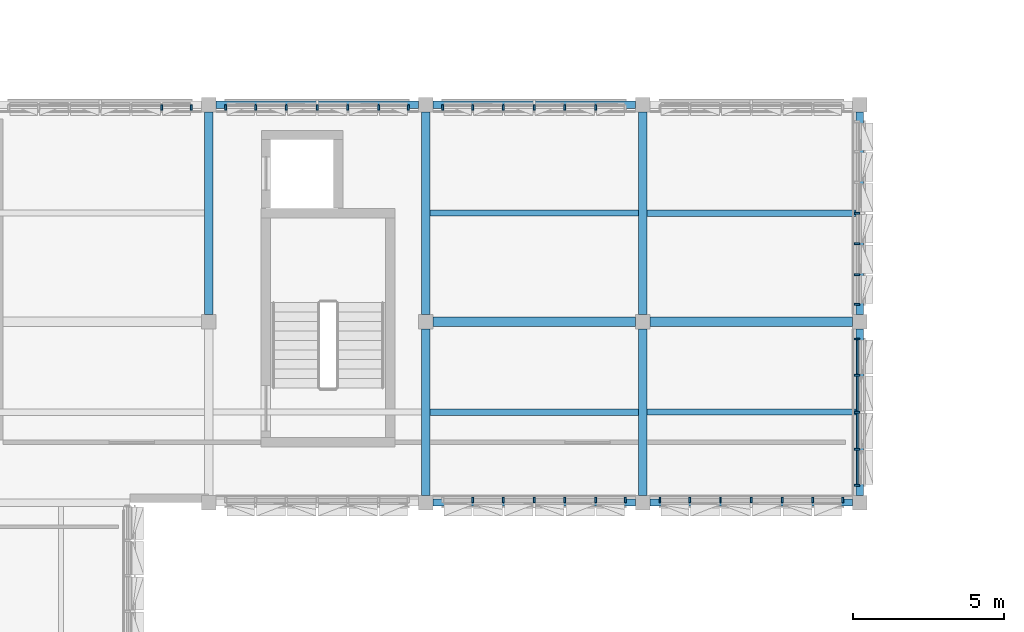
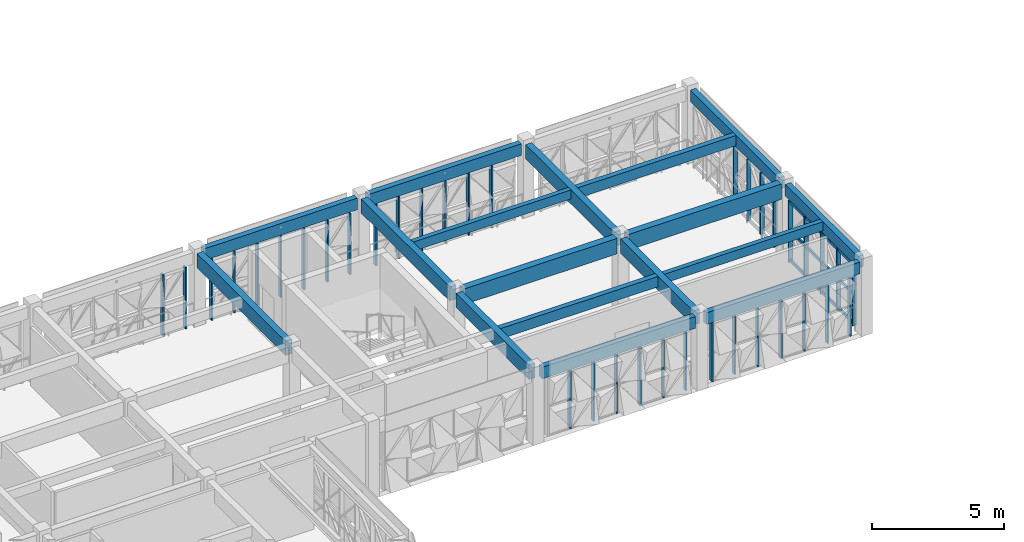
# One storey, part 10 of 48: 49 members, 17 beams, 7 elements without a shape of their own.
"""IFC4 building model written with IfcOpenShell, lengths in metres."""

from ifc_helpers import new_model, si_unit, direction, frame, origin, origin_2d, place, context, subcontext, project, spatial, rectangle, extrude, material, material_profile, profile_set, type_object, element, aggregate, save


model = new_model("IFC4")

# Units and contexts
model_context = context("Model", 3, precision=1e-05, world=origin(), true_north=direction((0.0, 1.0)))
body_context = subcontext(model_context, "Body", "Model", "MODEL_VIEW")
ifc_project = project(units=[si_unit("LENGTHUNIT", "METRE"), si_unit("AREAUNIT", "SQUARE_METRE"), si_unit("VOLUMEUNIT", "CUBIC_METRE"), si_unit("PLANEANGLEUNIT", "RADIAN"), si_unit("MASSUNIT", "GRAM", prefix="KILO")], contexts=[model_context])

# Site, building, storey
site_placement = place(None, origin())
site = spatial("IfcSite", under=ifc_project, at=site_placement, CompositionType="ELEMENT")
building_placement = place(site_placement, origin())
building = spatial("IfcBuilding", under=site, at=building_placement, Name="Alvorim Cloister Faculty of Sciences", CompositionType="ELEMENT")
storey_placement = place(building_placement, frame((0.0, 0.0, 19.35009765625)))
storey = spatial("IfcBuildingStorey", under=building, at=storey_placement, Name="L05", CompositionType="ELEMENT", Elevation=19.35009765625)

# Beams
ifc_material_1 = material(Name="Glulam GL28h", Category="wood")
ifc_material_profile_1 = material_profile(ifc_material_1, rectangle(XDim=0.280029296875, YDim=0.659912109375, at=origin_2d()), Name="GL28-BM-280x660")
ifc_profile_set_1 = profile_set([ifc_material_profile_1], Name="Glulam GL28h")
beam_type_1 = type_object("IfcBeamType", Name="BM-GL-280x660", PredefinedType="BEAM", material=ifc_profile_set_1)
beam_1_placement = place(storey_placement, frame((36.0, 49.43994140625, 3.059814453125), z_axis=(0.0, 1.0, 0.0), x_axis=(-1.0, 0.0, 0.0)))
element("IfcBeam", 1, at=beam_1_placement, inside=storey, type_object=beam_type_1, Name="L05 Primary Girder BM-2009", PredefinedType="BEAM", context=body_context, shape_type="SweptSolid", body=[
    extrude(rectangle(XDim=0.280029296875, YDim=0.659912109375, at=origin_2d()), origin(), (0.0, 0.0, 1.0), 6.719970703125),
])
beam_2_placement = place(storey_placement, frame((43.199951171875, 43.43994140625, 3.059814453125), z_axis=(0.0, 1.0, 0.0), x_axis=(-1.0, 0.0, 0.0)))
element("IfcBeam", 2, at=beam_2_placement, inside=storey, type_object=beam_type_1, Name="L05 Primary Girder BM-2010", PredefinedType="BEAM", context=body_context, shape_type="SweptSolid", body=[
    extrude(rectangle(XDim=0.280029296875, YDim=0.659912109375, at=origin_2d()), origin(), (0.0, 0.0, 1.0), 5.52001953125),
])
beam_3_placement = place(storey_placement, frame((43.199951171875, 49.43994140625, 3.059814453125), z_axis=(0.0, 1.0, 0.0), x_axis=(-1.0, 0.0, 0.0)))
element("IfcBeam", 3, at=beam_3_placement, inside=storey, type_object=beam_type_1, Name="L05 Primary Girder BM-2011", PredefinedType="BEAM", context=body_context, shape_type="SweptSolid", body=[
    extrude(rectangle(XDim=0.280029296875, YDim=0.659912109375, at=origin_2d()), origin(), (0.0, 0.0, 1.0), 6.719970703125),
])
beam_4_placement = place(storey_placement, frame((50.39990234375, 43.43994140625, 3.059814453125), z_axis=(0.0, 1.0, 0.0), x_axis=(-1.0, 0.0, 0.0)))
element("IfcBeam", 4, at=beam_4_placement, inside=storey, type_object=beam_type_1, Name="L05 Primary Girder BM-2012", PredefinedType="BEAM", context=body_context, shape_type="SweptSolid", body=[
    extrude(rectangle(XDim=0.280029296875, YDim=0.659912109375, at=origin_2d()), origin(), (0.0, 0.0, 1.0), 5.52001953125),
])
beam_5_placement = place(storey_placement, frame((50.39990234375, 49.43994140625, 3.059814453125), z_axis=(0.0, 1.0, 0.0), x_axis=(-1.0, 0.0, 0.0)))
element("IfcBeam", 5, at=beam_5_placement, inside=storey, type_object=beam_type_1, Name="L05 Primary Girder BM-2013", PredefinedType="BEAM", context=body_context, shape_type="SweptSolid", body=[
    extrude(rectangle(XDim=0.280029296875, YDim=0.659912109375, at=origin_2d()), origin(), (0.0, 0.0, 1.0), 6.719970703125),
])
ifc_material_2 = material(Name="Glulam GL32h", Category="wood")
ifc_material_profile_2 = material_profile(ifc_material_2, rectangle(XDim=0.300048828125, YDim=0.719970703125, at=origin_2d()), Name="GL32-BM-300x720")
ifc_profile_set_2 = profile_set([ifc_material_profile_2], Name="Glulam GL32h")
beam_type_2 = type_object("IfcBeamType", Name="BM-GL-300x720", PredefinedType="BEAM", material=ifc_profile_set_2)
beam_6_placement = place(storey_placement, frame((43.43994140625, 49.199951171875, 3.02978515625), z_axis=(1.0, 0.0, 0.0), x_axis=(0.0, 1.0, 0.0)))
element("IfcBeam", 6, at=beam_6_placement, inside=storey, type_object=beam_type_2, Name="L05 Primary Beam BM-1973", PredefinedType="BEAM", context=body_context, shape_type="SweptSolid", body=[
    extrude(rectangle(XDim=0.300048828125, YDim=0.719970703125, at=origin_2d()), origin(), (0.0, 0.0, 1.0), 6.719970703125),
])
beam_7_placement = place(storey_placement, frame((50.639892578125, 49.199951171875, 3.02978515625), z_axis=(1.0, 0.0, 0.0), x_axis=(0.0, 1.0, 0.0)))
element("IfcBeam", 7, at=beam_7_placement, inside=storey, type_object=beam_type_2, Name="L05 Primary Beam BM-1974", PredefinedType="BEAM", context=body_context, shape_type="SweptSolid", body=[
    extrude(rectangle(XDim=0.300048828125, YDim=0.719970703125, at=origin_2d()), origin(), (0.0, 0.0, 1.0), 6.72021484375),
])
ifc_material_profile_3 = material_profile(ifc_material_1, rectangle(XDim=0.199951171875, YDim=0.419921875, at=origin_2d()), Name="GL28-JST-200x420")
ifc_profile_set_3 = profile_set([ifc_material_profile_3], Name="Glulam GL28h")
beam_type_3 = type_object("IfcBeamType", Name="BM-JST-GL-200x420", PredefinedType="JOIST", material=ifc_profile_set_3)
beam_8_placement = place(storey_placement, frame((43.340087890625, 52.800048828125, 3.179931640625), z_axis=(1.0, 0.0, 0.0), x_axis=(0.0, 1.0, 0.0)))
element("IfcBeam", 8, at=beam_8_placement, inside=storey, type_object=beam_type_3, Name="L05 Secondary Floor Joist BM-2035", PredefinedType="JOIST", context=body_context, shape_type="SweptSolid", body=[
    extrude(rectangle(XDim=0.199951171875, YDim=0.419921875, at=origin_2d()), origin(), (0.0, 0.0, 1.0), 6.919921875),
])
beam_9_placement = place(storey_placement, frame((50.5400390625, 46.199951171875, 3.179931640625), z_axis=(1.0, 0.0, 0.0), x_axis=(0.0, 1.0, 0.0)))
element("IfcBeam", 9, at=beam_9_placement, inside=storey, type_object=beam_type_3, Name="L05 Secondary Floor Joist BM-2036", PredefinedType="JOIST", context=body_context, shape_type="SweptSolid", body=[
    extrude(rectangle(XDim=0.199951171875, YDim=0.419921875, at=origin_2d()), origin(), (0.0, 0.0, 1.0), 6.93994140625),
])
ifc_material_profile_4 = material_profile(ifc_material_1, rectangle(XDim=0.219970703125, YDim=0.47998046875, at=origin_2d()), Name="GL28-JST-220x480")
ifc_profile_set_4 = profile_set([ifc_material_profile_4], Name="Glulam GL28h")
beam_type_4 = type_object("IfcBeamType", Name="BM-JST-GL-220x480", PredefinedType="JOIST", material=ifc_profile_set_4)
beam_10_placement = place(storey_placement, frame((43.340087890625, 46.199951171875, 3.14990234375), z_axis=(1.0, 0.0, 0.0), x_axis=(0.0, 1.0, 0.0)))
element("IfcBeam", 10, at=beam_10_placement, inside=storey, type_object=beam_type_4, Name="L05 Secondary Floor Joist BM-2034", PredefinedType="JOIST", context=body_context, shape_type="SweptSolid", body=[
    extrude(rectangle(XDim=0.219970703125, YDim=0.47998046875, at=origin_2d()), origin(), (0.0, 0.0, 1.0), 6.919921875),
])
beam_11_placement = place(storey_placement, frame((50.5400390625, 52.800048828125, 3.14990234375), z_axis=(1.0, 0.0, 0.0), x_axis=(0.0, 1.0, 0.0)))
element("IfcBeam", 11, at=beam_11_placement, inside=storey, type_object=beam_type_4, Name="L05 Secondary Floor Joist BM-2037", PredefinedType="JOIST", context=body_context, shape_type="SweptSolid", body=[
    extrude(rectangle(XDim=0.219970703125, YDim=0.47998046875, at=origin_2d()), origin(), (0.0, 0.0, 1.0), 6.93994140625),
])
ifc_material_profile_5 = material_profile(ifc_material_1, rectangle(XDim=0.239990234375, YDim=0.5400390625, at=origin_2d()), Name="GL28-SPD-240x540")
ifc_profile_set_5 = profile_set([ifc_material_profile_5], Name="Glulam GL28h")
beam_type_5 = type_object("IfcBeamType", Name="BM-SPD-GL-240x540", PredefinedType="SPANDREL", material=ifc_profile_set_5)
beam_12_placement = place(storey_placement, frame((43.43994140625, 43.199951171875, 3.119873046875), z_axis=(1.0, 0.0, 0.0), x_axis=(0.0, 1.0, 0.0)))
element("IfcBeam", 12, at=beam_12_placement, inside=storey, type_object=beam_type_5, Name="L05 Primary Beam BM-1969", PredefinedType="SPANDREL", context=body_context, shape_type="SweptSolid", body=[
    extrude(rectangle(XDim=0.239990234375, YDim=0.5400390625, at=origin_2d()), origin(), (0.0, 0.0, 1.0), 6.719970703125),
])
beam_13_placement = place(storey_placement, frame((50.639892578125, 43.199951171875, 3.119873046875), z_axis=(1.0, 0.0, 0.0), x_axis=(0.0, 1.0, 0.0)))
element("IfcBeam", 13, at=beam_13_placement, inside=storey, type_object=beam_type_5, Name="L05 Primary Beam BM-1970", PredefinedType="SPANDREL", context=body_context, shape_type="SweptSolid", body=[
    extrude(rectangle(XDim=0.239990234375, YDim=0.5400390625, at=origin_2d()), origin(), (0.0, 0.0, 1.0), 6.72021484375),
])
for number, where, z_axis, x_axis, name in (
    (14, (36.239990234375, 56.39990234375, 3.119873046875), (1.0, 0.0, 0.0), (0.0, 1.0, 0.0), "L05 Primary Beam BM-1977"),
    (15, (43.43994140625, 56.39990234375, 3.119873046875), (1.0, 0.0, 0.0), (0.0, 1.0, 0.0), "L05 Primary Beam BM-1978"),
):
    element("IfcBeam", number, at=place(storey_placement, frame(where, z_axis=z_axis, x_axis=x_axis)), inside=storey, type_object=beam_type_5, Name=name, PredefinedType="SPANDREL", context=body_context, shape_type="SweptSolid", body=[
        extrude(rectangle(XDim=0.239990234375, YDim=0.5400390625, at=origin_2d()), origin(), (0.0, 0.0, 1.0), 6.719970703125),
    ])
beam_14_placement = place(storey_placement, frame((57.60009765625, 43.43994140625, 3.119873046875), z_axis=(0.0, 1.0, 0.0), x_axis=(-1.0, 0.0, 0.0)))
element("IfcBeam", 16, at=beam_14_placement, inside=storey, type_object=beam_type_5, Name="L05 Primary Girder BM-2014", PredefinedType="SPANDREL", context=body_context, shape_type="SweptSolid", body=[
    extrude(rectangle(XDim=0.239990234375, YDim=0.5400390625, at=origin_2d()), origin(), (0.0, 0.0, 1.0), 5.52001953125),
])
beam_15_placement = place(storey_placement, frame((57.60009765625, 49.43994140625, 3.119873046875), z_axis=(0.0, 1.0, 0.0), x_axis=(-1.0, 0.0, 0.0)))
element("IfcBeam", 17, at=beam_15_placement, inside=storey, type_object=beam_type_5, Name="L05 Primary Girder BM-2015", PredefinedType="SPANDREL", context=body_context, shape_type="SweptSolid", body=[
    extrude(rectangle(XDim=0.239990234375, YDim=0.5400390625, at=origin_2d()), origin(), (0.0, 0.0, 1.0), 6.719970703125),
])

# Curtain wall, members
ifc_material_3 = material(Name="Aluminium and Low-E Glass Curtain Wall", Category="aluminium")
curtain_wall_type_1 = type_object("IfcCurtainWallType", Name="CW-TRI-6120x2850", PredefinedType="USERDEFINED", material=ifc_material_3)
curtain_wall_1_placement = place(storey_placement, origin())
curtain_wall_1 = element("IfcCurtainWall", 18, at=curtain_wall_1_placement, inside=storey, type_object=curtain_wall_type_1, Name="L05 Diagonal Cassette Curtain Wall CW-0223", ObjectType="UNITISED CURTAIN WALL", PredefinedType="USERDEFINED")
ifc_material_4 = material(Name="Aluminium Alloy 6063-T6", Category="aluminium")
ifc_material_profile_6 = material_profile(ifc_material_4, rectangle(XDim=0.06494140625, YDim=0.179931640625, at=origin_2d()), Name="ALU-MUL-65x180")
ifc_profile_set_6 = profile_set([ifc_material_profile_6], Name="Aluminium Alloy 6063-T6")
member_type_1 = type_object("IfcMemberType", Name="CW-MUL-65x180", PredefinedType="MULLION", material=ifc_profile_set_6)
member_1_placement = place(storey_placement, frame((34.43994140625, 56.31005859375, 0.0), z_axis=(0.0, 0.0, 1.0), x_axis=(1.0, 0.0, 0.0)))
member_1 = element("IfcMember", 19, at=member_1_placement, type_object=member_type_1, Name="CW-0223 Mullion 6", PredefinedType="MULLION", context=body_context, shape_type="SweptSolid", body=[
    extrude(rectangle(XDim=0.06494140625, YDim=0.179931640625, at=origin_2d()), origin(), (0.0, 0.0, 1.0), 2.849853515625),
])
member_2_placement = place(storey_placement, frame((35.427490234375, 56.31005859375, 0.0), z_axis=(0.0, 0.0, 1.0), x_axis=(1.0, 0.0, 0.0)))
member_2 = element("IfcMember", 20, at=member_2_placement, type_object=member_type_1, Name="CW-0223 Mullion 7", PredefinedType="MULLION", context=body_context, shape_type="SweptSolid", body=[
    extrude(rectangle(XDim=0.06494140625, YDim=0.179931640625, at=origin_2d()), origin(), (0.0, 0.0, 1.0), 2.849853515625),
])
aggregate(curtain_wall_1, [member_1, member_2])

curtain_wall_2_placement = place(storey_placement, origin())
curtain_wall_2 = element("IfcCurtainWall", 21, at=curtain_wall_2_placement, inside=storey, type_object=curtain_wall_type_1, Name="L05 Diagonal Cassette Curtain Wall CW-0224", ObjectType="UNITISED CURTAIN WALL", PredefinedType="USERDEFINED")
member_3_placement = place(storey_placement, frame((36.572509765625, 56.31005859375, 0.0), z_axis=(0.0, 0.0, 1.0), x_axis=(1.0, 0.0, 0.0)))
member_3 = element("IfcMember", 22, at=member_3_placement, type_object=member_type_1, Name="CW-0224 Mullion 1", PredefinedType="MULLION", context=body_context, shape_type="SweptSolid", body=[
    extrude(rectangle(XDim=0.06494140625, YDim=0.179931640625, at=origin_2d()), origin(), (0.0, 0.0, 1.0), 2.849853515625),
])
member_4_placement = place(storey_placement, frame((37.56005859375, 56.31005859375, 0.0), z_axis=(0.0, 0.0, 1.0), x_axis=(1.0, 0.0, 0.0)))
member_4 = element("IfcMember", 23, at=member_4_placement, type_object=member_type_1, Name="CW-0224 Mullion 2", PredefinedType="MULLION", context=body_context, shape_type="SweptSolid", body=[
    extrude(rectangle(XDim=0.06494140625, YDim=0.179931640625, at=origin_2d()), origin(), (0.0, 0.0, 1.0), 2.849853515625),
])
member_5_placement = place(storey_placement, frame((38.580078125, 56.31005859375, 0.0), z_axis=(0.0, 0.0, 1.0), x_axis=(1.0, 0.0, 0.0)))
member_5 = element("IfcMember", 24, at=member_5_placement, type_object=member_type_1, Name="CW-0224 Mullion 3", PredefinedType="MULLION", context=body_context, shape_type="SweptSolid", body=[
    extrude(rectangle(XDim=0.06494140625, YDim=0.179931640625, at=origin_2d()), origin(), (0.0, 0.0, 1.0), 2.849853515625),
])
member_6_placement = place(storey_placement, frame((39.60009765625, 56.31005859375, 0.0), z_axis=(0.0, 0.0, 1.0), x_axis=(1.0, 0.0, 0.0)))
member_6 = element("IfcMember", 25, at=member_6_placement, type_object=member_type_1, Name="CW-0224 Mullion 4", PredefinedType="MULLION", context=body_context, shape_type="SweptSolid", body=[
    extrude(rectangle(XDim=0.06494140625, YDim=0.179931640625, at=origin_2d()), origin(), (0.0, 0.0, 1.0), 2.849853515625),
])
member_7_placement = place(storey_placement, frame((40.6201171875, 56.31005859375, 0.0), z_axis=(0.0, 0.0, 1.0), x_axis=(1.0, 0.0, 0.0)))
member_7 = element("IfcMember", 26, at=member_7_placement, type_object=member_type_1, Name="CW-0224 Mullion 5", PredefinedType="MULLION", context=body_context, shape_type="SweptSolid", body=[
    extrude(rectangle(XDim=0.06494140625, YDim=0.179931640625, at=origin_2d()), origin(), (0.0, 0.0, 1.0), 2.849853515625),
])
member_8_placement = place(storey_placement, frame((41.639892578125, 56.31005859375, 0.0), z_axis=(0.0, 0.0, 1.0), x_axis=(1.0, 0.0, 0.0)))
member_8 = element("IfcMember", 27, at=member_8_placement, type_object=member_type_1, Name="CW-0224 Mullion 6", PredefinedType="MULLION", context=body_context, shape_type="SweptSolid", body=[
    extrude(rectangle(XDim=0.06494140625, YDim=0.179931640625, at=origin_2d()), origin(), (0.0, 0.0, 1.0), 2.849853515625),
])
member_9_placement = place(storey_placement, frame((42.62744140625, 56.31005859375, 0.0), z_axis=(0.0, 0.0, 1.0), x_axis=(1.0, 0.0, 0.0)))
member_9 = element("IfcMember", 28, at=member_9_placement, type_object=member_type_1, Name="CW-0224 Mullion 7", PredefinedType="MULLION", context=body_context, shape_type="SweptSolid", body=[
    extrude(rectangle(XDim=0.06494140625, YDim=0.179931640625, at=origin_2d()), origin(), (0.0, 0.0, 1.0), 2.849853515625),
])
aggregate(curtain_wall_2, [member_3, member_4, member_5, member_6, member_7, member_8, member_9])

curtain_wall_3_placement = place(storey_placement, origin())
curtain_wall_3 = element("IfcCurtainWall", 29, at=curtain_wall_3_placement, inside=storey, type_object=curtain_wall_type_1, Name="L05 Diagonal Cassette Curtain Wall CW-0225", ObjectType="UNITISED CURTAIN WALL", PredefinedType="USERDEFINED")
member_10_placement = place(storey_placement, frame((43.7724609375, 56.31005859375, 0.0), z_axis=(0.0, 0.0, 1.0), x_axis=(1.0, 0.0, 0.0)))
member_10 = element("IfcMember", 30, at=member_10_placement, type_object=member_type_1, Name="CW-0225 Mullion 1", PredefinedType="MULLION", context=body_context, shape_type="SweptSolid", body=[
    extrude(rectangle(XDim=0.06494140625, YDim=0.179931640625, at=origin_2d()), origin(), (0.0, 0.0, 1.0), 2.849853515625),
])
member_11_placement = place(storey_placement, frame((44.760009765625, 56.31005859375, 0.0), z_axis=(0.0, 0.0, 1.0), x_axis=(1.0, 0.0, 0.0)))
member_11 = element("IfcMember", 31, at=member_11_placement, type_object=member_type_1, Name="CW-0225 Mullion 2", PredefinedType="MULLION", context=body_context, shape_type="SweptSolid", body=[
    extrude(rectangle(XDim=0.06494140625, YDim=0.179931640625, at=origin_2d()), origin(), (0.0, 0.0, 1.0), 2.849853515625),
])
member_12_placement = place(storey_placement, frame((45.780029296875, 56.31005859375, 0.0), z_axis=(0.0, 0.0, 1.0), x_axis=(1.0, 0.0, 0.0)))
member_12 = element("IfcMember", 32, at=member_12_placement, type_object=member_type_1, Name="CW-0225 Mullion 3", PredefinedType="MULLION", context=body_context, shape_type="SweptSolid", body=[
    extrude(rectangle(XDim=0.06494140625, YDim=0.179931640625, at=origin_2d()), origin(), (0.0, 0.0, 1.0), 2.849853515625),
])
member_13_placement = place(storey_placement, frame((46.800048828125, 56.31005859375, 0.0), z_axis=(0.0, 0.0, 1.0), x_axis=(1.0, 0.0, 0.0)))
member_13 = element("IfcMember", 33, at=member_13_placement, type_object=member_type_1, Name="CW-0225 Mullion 4", PredefinedType="MULLION", context=body_context, shape_type="SweptSolid", body=[
    extrude(rectangle(XDim=0.06494140625, YDim=0.179931640625, at=origin_2d()), origin(), (0.0, 0.0, 1.0), 2.849853515625),
])
member_14_placement = place(storey_placement, frame((47.820068359375, 56.31005859375, 0.0), z_axis=(0.0, 0.0, 1.0), x_axis=(1.0, 0.0, 0.0)))
member_14 = element("IfcMember", 34, at=member_14_placement, type_object=member_type_1, Name="CW-0225 Mullion 5", PredefinedType="MULLION", context=body_context, shape_type="SweptSolid", body=[
    extrude(rectangle(XDim=0.06494140625, YDim=0.179931640625, at=origin_2d()), origin(), (0.0, 0.0, 1.0), 2.849853515625),
])
member_15_placement = place(storey_placement, frame((48.840087890625, 56.31005859375, 0.0), z_axis=(0.0, 0.0, 1.0), x_axis=(1.0, 0.0, 0.0)))
member_15 = element("IfcMember", 35, at=member_15_placement, type_object=member_type_1, Name="CW-0225 Mullion 6", PredefinedType="MULLION", context=body_context, shape_type="SweptSolid", body=[
    extrude(rectangle(XDim=0.06494140625, YDim=0.179931640625, at=origin_2d()), origin(), (0.0, 0.0, 1.0), 2.849853515625),
])
aggregate(curtain_wall_3, [member_10, member_11, member_12, member_13, member_14, member_15])

curtain_wall_4_placement = place(storey_placement, origin())
curtain_wall_4 = element("IfcCurtainWall", 36, at=curtain_wall_4_placement, inside=storey, type_object=curtain_wall_type_1, Name="L05 Diagonal Cassette Curtain Wall CW-0227", ObjectType="UNITISED CURTAIN WALL", PredefinedType="USERDEFINED")
member_16_placement = place(storey_placement, frame((57.510009765625, 49.7724609375, 0.0), z_axis=(0.0, 0.0, 1.0), x_axis=(0.0, 1.0, 0.0)))
member_16 = element("IfcMember", 37, at=member_16_placement, type_object=member_type_1, Name="CW-0227 Mullion 1", PredefinedType="MULLION", context=body_context, shape_type="SweptSolid", body=[
    extrude(rectangle(XDim=0.06494140625, YDim=0.179931640625, at=origin_2d()), origin(), (0.0, 0.0, 1.0), 2.849853515625),
])
member_17_placement = place(storey_placement, frame((57.510009765625, 50.760009765625, 0.0), z_axis=(0.0, 0.0, 1.0), x_axis=(0.0, 1.0, 0.0)))
member_17 = element("IfcMember", 38, at=member_17_placement, type_object=member_type_1, Name="CW-0227 Mullion 2", PredefinedType="MULLION", context=body_context, shape_type="SweptSolid", body=[
    extrude(rectangle(XDim=0.06494140625, YDim=0.179931640625, at=origin_2d()), origin(), (0.0, 0.0, 1.0), 2.849853515625),
])
member_18_placement = place(storey_placement, frame((57.510009765625, 51.780029296875, 0.0), z_axis=(0.0, 0.0, 1.0), x_axis=(0.0, 1.0, 0.0)))
member_18 = element("IfcMember", 39, at=member_18_placement, type_object=member_type_1, Name="CW-0227 Mullion 3", PredefinedType="MULLION", context=body_context, shape_type="SweptSolid", body=[
    extrude(rectangle(XDim=0.06494140625, YDim=0.179931640625, at=origin_2d()), origin(), (0.0, 0.0, 1.0), 2.849853515625),
])
member_19_placement = place(storey_placement, frame((57.510009765625, 52.800048828125, 0.0), z_axis=(0.0, 0.0, 1.0), x_axis=(0.0, 1.0, 0.0)))
member_19 = element("IfcMember", 40, at=member_19_placement, type_object=member_type_1, Name="CW-0227 Mullion 4", PredefinedType="MULLION", context=body_context, shape_type="SweptSolid", body=[
    extrude(rectangle(XDim=0.06494140625, YDim=0.179931640625, at=origin_2d()), origin(), (0.0, 0.0, 1.0), 2.849853515625),
])
aggregate(curtain_wall_4, [member_16, member_17, member_18, member_19])

curtain_wall_type_2 = type_object("IfcCurtainWallType", Name="CW-TRI-4920x2850", PredefinedType="USERDEFINED", material=ifc_material_3)
curtain_wall_5_placement = place(storey_placement, origin())
curtain_wall_5 = element("IfcCurtainWall", 41, at=curtain_wall_5_placement, inside=storey, type_object=curtain_wall_type_2, Name="L05 Diagonal Cassette Curtain Wall CW-0228", ObjectType="UNITISED CURTAIN WALL", PredefinedType="USERDEFINED")
member_20_placement = place(storey_placement, frame((57.510009765625, 43.7724609375, 0.0), z_axis=(0.0, 0.0, 1.0), x_axis=(0.0, 1.0, 0.0)))
member_20 = element("IfcMember", 42, at=member_20_placement, type_object=member_type_1, Name="CW-0228 Mullion 1", PredefinedType="MULLION", context=body_context, shape_type="SweptSolid", body=[
    extrude(rectangle(XDim=0.06494140625, YDim=0.179931640625, at=origin_2d()), origin(), (0.0, 0.0, 1.0), 2.849853515625),
])
member_21_placement = place(storey_placement, frame((57.510009765625, 44.969970703125, 0.0), z_axis=(0.0, 0.0, 1.0), x_axis=(0.0, 1.0, 0.0)))
member_21 = element("IfcMember", 43, at=member_21_placement, type_object=member_type_1, Name="CW-0228 Mullion 2", PredefinedType="MULLION", context=body_context, shape_type="SweptSolid", body=[
    extrude(rectangle(XDim=0.06494140625, YDim=0.179931640625, at=origin_2d()), origin(), (0.0, 0.0, 1.0), 2.849853515625),
])
member_22_placement = place(storey_placement, frame((57.510009765625, 46.199951171875, 0.0), z_axis=(0.0, 0.0, 1.0), x_axis=(0.0, 1.0, 0.0)))
member_22 = element("IfcMember", 44, at=member_22_placement, type_object=member_type_1, Name="CW-0228 Mullion 3", PredefinedType="MULLION", context=body_context, shape_type="SweptSolid", body=[
    extrude(rectangle(XDim=0.06494140625, YDim=0.179931640625, at=origin_2d()), origin(), (0.0, 0.0, 1.0), 2.849853515625),
])
member_23_placement = place(storey_placement, frame((57.510009765625, 47.429931640625, 0.0), z_axis=(0.0, 0.0, 1.0), x_axis=(0.0, 1.0, 0.0)))
member_23 = element("IfcMember", 45, at=member_23_placement, type_object=member_type_1, Name="CW-0228 Mullion 4", PredefinedType="MULLION", context=body_context, shape_type="SweptSolid", body=[
    extrude(rectangle(XDim=0.06494140625, YDim=0.179931640625, at=origin_2d()), origin(), (0.0, 0.0, 1.0), 2.849853515625),
])
member_24_placement = place(storey_placement, frame((57.510009765625, 48.62744140625, 0.0), z_axis=(0.0, 0.0, 1.0), x_axis=(0.0, 1.0, 0.0)))
member_24 = element("IfcMember", 46, at=member_24_placement, type_object=member_type_1, Name="CW-0228 Mullion 5", PredefinedType="MULLION", context=body_context, shape_type="SweptSolid", body=[
    extrude(rectangle(XDim=0.06494140625, YDim=0.179931640625, at=origin_2d()), origin(), (0.0, 0.0, 1.0), 2.849853515625),
])

curtain_wall_6_placement = place(storey_placement, origin())
curtain_wall_6 = element("IfcCurtainWall", 47, at=curtain_wall_6_placement, inside=storey, type_object=curtain_wall_type_1, Name="L05 Diagonal Cassette Curtain Wall CW-0229", ObjectType="UNITISED CURTAIN WALL", PredefinedType="USERDEFINED")
member_25_placement = place(storey_placement, frame((50.972412109375, 43.2900390625, 0.0), z_axis=(0.0, 0.0, 1.0), x_axis=(1.0, 0.0, 0.0)))
member_25 = element("IfcMember", 48, at=member_25_placement, type_object=member_type_1, Name="CW-0229 Mullion 1", PredefinedType="MULLION", context=body_context, shape_type="SweptSolid", body=[
    extrude(rectangle(XDim=0.06494140625, YDim=0.179931640625, at=origin_2d()), origin(), (0.0, 0.0, 1.0), 2.849853515625),
])
member_26_placement = place(storey_placement, frame((51.9599609375, 43.2900390625, 0.0), z_axis=(0.0, 0.0, 1.0), x_axis=(1.0, 0.0, 0.0)))
member_26 = element("IfcMember", 49, at=member_26_placement, type_object=member_type_1, Name="CW-0229 Mullion 2", PredefinedType="MULLION", context=body_context, shape_type="SweptSolid", body=[
    extrude(rectangle(XDim=0.06494140625, YDim=0.179931640625, at=origin_2d()), origin(), (0.0, 0.0, 1.0), 2.849853515625),
])
member_27_placement = place(storey_placement, frame((52.97998046875, 43.2900390625, 0.0), z_axis=(0.0, 0.0, 1.0), x_axis=(1.0, 0.0, 0.0)))
member_27 = element("IfcMember", 50, at=member_27_placement, type_object=member_type_1, Name="CW-0229 Mullion 3", PredefinedType="MULLION", context=body_context, shape_type="SweptSolid", body=[
    extrude(rectangle(XDim=0.06494140625, YDim=0.179931640625, at=origin_2d()), origin(), (0.0, 0.0, 1.0), 2.849853515625),
])
member_28_placement = place(storey_placement, frame((54.0, 43.2900390625, 0.0), z_axis=(0.0, 0.0, 1.0), x_axis=(1.0, 0.0, 0.0)))
member_28 = element("IfcMember", 51, at=member_28_placement, type_object=member_type_1, Name="CW-0229 Mullion 4", PredefinedType="MULLION", context=body_context, shape_type="SweptSolid", body=[
    extrude(rectangle(XDim=0.06494140625, YDim=0.179931640625, at=origin_2d()), origin(), (0.0, 0.0, 1.0), 2.849853515625),
])
member_29_placement = place(storey_placement, frame((55.02001953125, 43.2900390625, 0.0), z_axis=(0.0, 0.0, 1.0), x_axis=(1.0, 0.0, 0.0)))
member_29 = element("IfcMember", 52, at=member_29_placement, type_object=member_type_1, Name="CW-0229 Mullion 5", PredefinedType="MULLION", context=body_context, shape_type="SweptSolid", body=[
    extrude(rectangle(XDim=0.06494140625, YDim=0.179931640625, at=origin_2d()), origin(), (0.0, 0.0, 1.0), 2.849853515625),
])
member_30_placement = place(storey_placement, frame((56.0400390625, 43.2900390625, 0.0), z_axis=(0.0, 0.0, 1.0), x_axis=(1.0, 0.0, 0.0)))
member_30 = element("IfcMember", 53, at=member_30_placement, type_object=member_type_1, Name="CW-0229 Mullion 6", PredefinedType="MULLION", context=body_context, shape_type="SweptSolid", body=[
    extrude(rectangle(XDim=0.06494140625, YDim=0.179931640625, at=origin_2d()), origin(), (0.0, 0.0, 1.0), 2.849853515625),
])
member_31_placement = place(storey_placement, frame((57.027587890625, 43.2900390625, 0.0), z_axis=(0.0, 0.0, 1.0), x_axis=(1.0, 0.0, 0.0)))
member_31 = element("IfcMember", 54, at=member_31_placement, type_object=member_type_1, Name="CW-0229 Mullion 7", PredefinedType="MULLION", context=body_context, shape_type="SweptSolid", body=[
    extrude(rectangle(XDim=0.06494140625, YDim=0.179931640625, at=origin_2d()), origin(), (0.0, 0.0, 1.0), 2.849853515625),
])
aggregate(curtain_wall_6, [member_25, member_26, member_27, member_28, member_29, member_30, member_31])

curtain_wall_7_placement = place(storey_placement, origin())
curtain_wall_7 = element("IfcCurtainWall", 55, at=curtain_wall_7_placement, inside=storey, type_object=curtain_wall_type_1, Name="L05 Diagonal Cassette Curtain Wall CW-0230", ObjectType="UNITISED CURTAIN WALL", PredefinedType="USERDEFINED")
member_32_placement = place(storey_placement, frame((44.760009765625, 43.2900390625, 0.0), z_axis=(0.0, 0.0, 1.0), x_axis=(1.0, 0.0, 0.0)))
member_32 = element("IfcMember", 56, at=member_32_placement, type_object=member_type_1, Name="CW-0230 Mullion 2", PredefinedType="MULLION", context=body_context, shape_type="SweptSolid", body=[
    extrude(rectangle(XDim=0.06494140625, YDim=0.179931640625, at=origin_2d()), origin(), (0.0, 0.0, 1.0), 2.849853515625),
])
member_33_placement = place(storey_placement, frame((45.780029296875, 43.2900390625, 0.0), z_axis=(0.0, 0.0, 1.0), x_axis=(1.0, 0.0, 0.0)))
member_33 = element("IfcMember", 57, at=member_33_placement, type_object=member_type_1, Name="CW-0230 Mullion 3", PredefinedType="MULLION", context=body_context, shape_type="SweptSolid", body=[
    extrude(rectangle(XDim=0.06494140625, YDim=0.179931640625, at=origin_2d()), origin(), (0.0, 0.0, 1.0), 2.849853515625),
])
member_34_placement = place(storey_placement, frame((46.800048828125, 43.2900390625, 0.0), z_axis=(0.0, 0.0, 1.0), x_axis=(1.0, 0.0, 0.0)))
member_34 = element("IfcMember", 58, at=member_34_placement, type_object=member_type_1, Name="CW-0230 Mullion 4", PredefinedType="MULLION", context=body_context, shape_type="SweptSolid", body=[
    extrude(rectangle(XDim=0.06494140625, YDim=0.179931640625, at=origin_2d()), origin(), (0.0, 0.0, 1.0), 2.849853515625),
])
member_35_placement = place(storey_placement, frame((47.820068359375, 43.2900390625, 0.0), z_axis=(0.0, 0.0, 1.0), x_axis=(1.0, 0.0, 0.0)))
member_35 = element("IfcMember", 59, at=member_35_placement, type_object=member_type_1, Name="CW-0230 Mullion 5", PredefinedType="MULLION", context=body_context, shape_type="SweptSolid", body=[
    extrude(rectangle(XDim=0.06494140625, YDim=0.179931640625, at=origin_2d()), origin(), (0.0, 0.0, 1.0), 2.849853515625),
])
member_36_placement = place(storey_placement, frame((48.840087890625, 43.2900390625, 0.0), z_axis=(0.0, 0.0, 1.0), x_axis=(1.0, 0.0, 0.0)))
member_36 = element("IfcMember", 60, at=member_36_placement, type_object=member_type_1, Name="CW-0230 Mullion 6", PredefinedType="MULLION", context=body_context, shape_type="SweptSolid", body=[
    extrude(rectangle(XDim=0.06494140625, YDim=0.179931640625, at=origin_2d()), origin(), (0.0, 0.0, 1.0), 2.849853515625),
])
member_37_placement = place(storey_placement, frame((49.827392578125, 43.2900390625, 0.0), z_axis=(0.0, 0.0, 1.0), x_axis=(1.0, 0.0, 0.0)))
member_37 = element("IfcMember", 61, at=member_37_placement, type_object=member_type_1, Name="CW-0230 Mullion 7", PredefinedType="MULLION", context=body_context, shape_type="SweptSolid", body=[
    extrude(rectangle(XDim=0.06494140625, YDim=0.179931640625, at=origin_2d()), origin(), (0.0, 0.0, 1.0), 2.849853515625),
])
aggregate(curtain_wall_7, [member_32, member_33, member_34, member_35, member_36, member_37])

# Member
ifc_material_profile_7 = material_profile(ifc_material_4, rectangle(XDim=0.06494140625, YDim=0.139892578125, at=origin_2d()), Name="ALU-TRN-65x140")
ifc_profile_set_7 = profile_set([ifc_material_profile_7], Name="Aluminium Alloy 6063-T6")
member_type_2 = type_object("IfcMemberType", Name="CW-TRN-65x140", PredefinedType="USERDEFINED", material=ifc_profile_set_7)
member_38_placement = place(storey_placement, frame((57.510009765625, 43.804931640625, 0.06982421875), z_axis=(0.0, 1.0, 0.0), x_axis=(-1.0, 0.0, 0.0)))
member_38 = element("IfcMember", 62, at=member_38_placement, type_object=member_type_2, Name="CW-0228 Transom 1.1", ObjectType="TRANSOM", PredefinedType="USERDEFINED", context=body_context, shape_type="SweptSolid", body=[
    extrude(rectangle(XDim=0.06494140625, YDim=0.139892578125, at=origin_2d()), origin(), (0.0, 0.0, 1.0), 1.132568359375),
])

member_39_placement = place(storey_placement, frame((57.510009765625, 43.804931640625, 1.4248046875), z_axis=(0.0, 1.0, 0.0), x_axis=(-1.0, 0.0, 0.0)))
member_39 = element("IfcMember", 63, at=member_39_placement, type_object=member_type_2, Name="CW-0228 Transom 1.2", ObjectType="TRANSOM", PredefinedType="USERDEFINED", context=body_context, shape_type="SweptSolid", body=[
    extrude(rectangle(XDim=0.06494140625, YDim=0.139892578125, at=origin_2d()), origin(), (0.0, 0.0, 1.0), 1.132568359375),
])

member_40_placement = place(storey_placement, frame((57.510009765625, 43.804931640625, 2.77978515625), z_axis=(0.0, 1.0, 0.0), x_axis=(-1.0, 0.0, 0.0)))
member_40 = element("IfcMember", 64, at=member_40_placement, type_object=member_type_2, Name="CW-0228 Transom 1.3", ObjectType="TRANSOM", PredefinedType="USERDEFINED", context=body_context, shape_type="SweptSolid", body=[
    extrude(rectangle(XDim=0.06494140625, YDim=0.139892578125, at=origin_2d()), origin(), (0.0, 0.0, 1.0), 1.132568359375),
])

member_41_placement = place(storey_placement, frame((57.510009765625, 45.00244140625, 0.06982421875), z_axis=(0.0, 1.0, 0.0), x_axis=(-1.0, 0.0, 0.0)))
member_41 = element("IfcMember", 65, at=member_41_placement, type_object=member_type_2, Name="CW-0228 Transom 2.1", ObjectType="TRANSOM", PredefinedType="USERDEFINED", context=body_context, shape_type="SweptSolid", body=[
    extrude(rectangle(XDim=0.06494140625, YDim=0.139892578125, at=origin_2d()), origin(), (0.0, 0.0, 1.0), 1.1650390625),
])

member_42_placement = place(storey_placement, frame((57.510009765625, 45.00244140625, 1.4248046875), z_axis=(0.0, 1.0, 0.0), x_axis=(-1.0, 0.0, 0.0)))
member_42 = element("IfcMember", 66, at=member_42_placement, type_object=member_type_2, Name="CW-0228 Transom 2.2", ObjectType="TRANSOM", PredefinedType="USERDEFINED", context=body_context, shape_type="SweptSolid", body=[
    extrude(rectangle(XDim=0.06494140625, YDim=0.139892578125, at=origin_2d()), origin(), (0.0, 0.0, 1.0), 1.1650390625),
])

member_43_placement = place(storey_placement, frame((57.510009765625, 45.00244140625, 2.77978515625), z_axis=(0.0, 1.0, 0.0), x_axis=(-1.0, 0.0, 0.0)))
member_43 = element("IfcMember", 67, at=member_43_placement, type_object=member_type_2, Name="CW-0228 Transom 2.3", ObjectType="TRANSOM", PredefinedType="USERDEFINED", context=body_context, shape_type="SweptSolid", body=[
    extrude(rectangle(XDim=0.06494140625, YDim=0.139892578125, at=origin_2d()), origin(), (0.0, 0.0, 1.0), 1.1650390625),
])

member_44_placement = place(storey_placement, frame((57.510009765625, 46.232421875, 0.06982421875), z_axis=(0.0, 1.0, 0.0), x_axis=(-1.0, 0.0, 0.0)))
member_44 = element("IfcMember", 68, at=member_44_placement, type_object=member_type_2, Name="CW-0228 Transom 3.1", ObjectType="TRANSOM", PredefinedType="USERDEFINED", context=body_context, shape_type="SweptSolid", body=[
    extrude(rectangle(XDim=0.06494140625, YDim=0.139892578125, at=origin_2d()), origin(), (0.0, 0.0, 1.0), 1.1650390625),
])

member_45_placement = place(storey_placement, frame((57.510009765625, 46.232421875, 1.4248046875), z_axis=(0.0, 1.0, 0.0), x_axis=(-1.0, 0.0, 0.0)))
member_45 = element("IfcMember", 69, at=member_45_placement, type_object=member_type_2, Name="CW-0228 Transom 3.2", ObjectType="TRANSOM", PredefinedType="USERDEFINED", context=body_context, shape_type="SweptSolid", body=[
    extrude(rectangle(XDim=0.06494140625, YDim=0.139892578125, at=origin_2d()), origin(), (0.0, 0.0, 1.0), 1.1650390625),
])

member_46_placement = place(storey_placement, frame((57.510009765625, 46.232421875, 2.77978515625), z_axis=(0.0, 1.0, 0.0), x_axis=(-1.0, 0.0, 0.0)))
member_46 = element("IfcMember", 70, at=member_46_placement, type_object=member_type_2, Name="CW-0228 Transom 3.3", ObjectType="TRANSOM", PredefinedType="USERDEFINED", context=body_context, shape_type="SweptSolid", body=[
    extrude(rectangle(XDim=0.06494140625, YDim=0.139892578125, at=origin_2d()), origin(), (0.0, 0.0, 1.0), 1.1650390625),
])

member_47_placement = place(storey_placement, frame((57.510009765625, 47.46240234375, 0.06982421875), z_axis=(0.0, 1.0, 0.0), x_axis=(-1.0, 0.0, 0.0)))
member_47 = element("IfcMember", 71, at=member_47_placement, type_object=member_type_2, Name="CW-0228 Transom 4.1", ObjectType="TRANSOM", PredefinedType="USERDEFINED", context=body_context, shape_type="SweptSolid", body=[
    extrude(rectangle(XDim=0.06494140625, YDim=0.139892578125, at=origin_2d()), origin(), (0.0, 0.0, 1.0), 1.132568359375),
])

member_48_placement = place(storey_placement, frame((57.510009765625, 47.46240234375, 1.4248046875), z_axis=(0.0, 1.0, 0.0), x_axis=(-1.0, 0.0, 0.0)))
member_48 = element("IfcMember", 72, at=member_48_placement, type_object=member_type_2, Name="CW-0228 Transom 4.2", ObjectType="TRANSOM", PredefinedType="USERDEFINED", context=body_context, shape_type="SweptSolid", body=[
    extrude(rectangle(XDim=0.06494140625, YDim=0.139892578125, at=origin_2d()), origin(), (0.0, 0.0, 1.0), 1.132568359375),
])

member_49_placement = place(storey_placement, frame((57.510009765625, 47.46240234375, 2.77978515625), z_axis=(0.0, 1.0, 0.0), x_axis=(-1.0, 0.0, 0.0)))
member_49 = element("IfcMember", 73, at=member_49_placement, type_object=member_type_2, Name="CW-0228 Transom 4.3", ObjectType="TRANSOM", PredefinedType="USERDEFINED", context=body_context, shape_type="SweptSolid", body=[
    extrude(rectangle(XDim=0.06494140625, YDim=0.139892578125, at=origin_2d()), origin(), (0.0, 0.0, 1.0), 1.132568359375),
])

aggregate(curtain_wall_5, [member_20, member_21, member_22, member_23, member_24, member_38, member_39, member_40, member_41, member_42, member_43, member_44, member_45, member_46, member_47, member_48, member_49])

save(model, "model.ifc")
